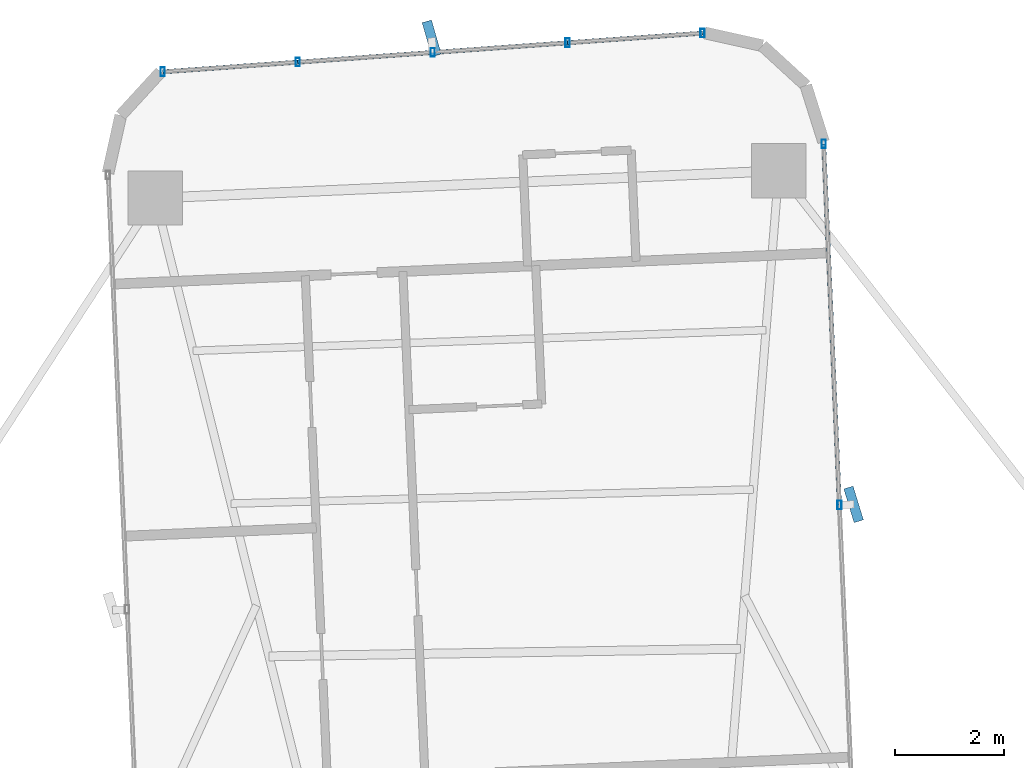
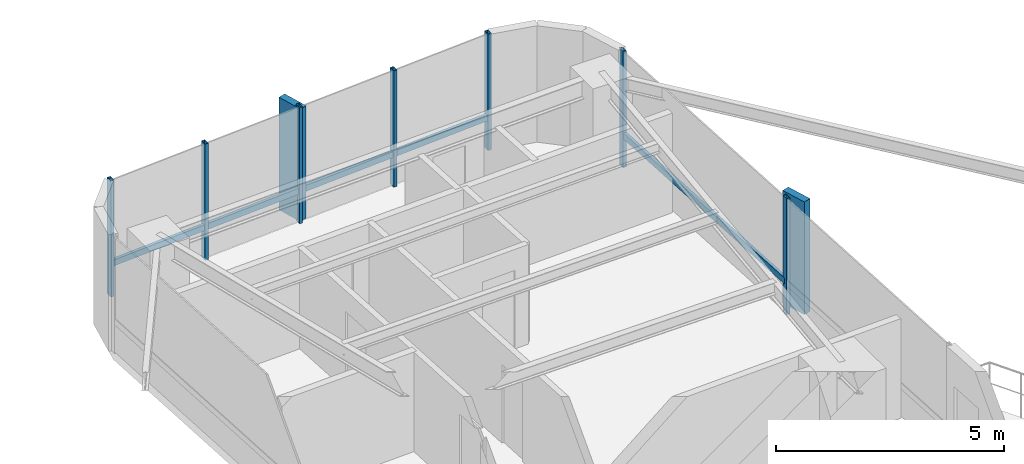
# One storey, part 19 of 26: 14 members, 2 elements without a shape of their own.
"""IFC4 building model written with IfcOpenShell, lengths in metres."""

from ifc_helpers import new_model, si_unit, direction, frame, origin, origin_2d, place, context, subcontext, project, spatial, rectangle, hollow_rectangle, extrude, source, transform, mapped, material, material_profile, profile_set, type_object, element, aggregate, save


model = new_model("IFC4")

# Units and contexts
model_context = context("Model", 3, precision=1e-05, world=origin(), true_north=direction((0.0, 1.0)))
body_context = subcontext(model_context, "Body", "Model", "MODEL_VIEW")
ifc_project = project(units=[si_unit("LENGTHUNIT", "METRE"), si_unit("AREAUNIT", "SQUARE_METRE"), si_unit("VOLUMEUNIT", "CUBIC_METRE"), si_unit("PLANEANGLEUNIT", "RADIAN"), si_unit("MASSUNIT", "GRAM", prefix="KILO")], contexts=[model_context])

# Site, building, storey
site_placement = place(None, origin())
site = spatial("IfcSite", under=ifc_project, at=site_placement, CompositionType="ELEMENT")
building_placement = place(site_placement, origin())
building = spatial("IfcBuilding", under=site, at=building_placement, Name="Sahyath Konkavel Grand Hotel", CompositionType="ELEMENT")
storey_placement = place(building_placement, frame((0.0, 0.0, 124.85009765625)))
storey = spatial("IfcBuildingStorey", under=building, at=storey_placement, Name="L34", CompositionType="ELEMENT", Elevation=124.85009765625)

# Curtain wall, members
ifc_material_1 = material(Name="Anodised Bronze Aluminium & Low-E Glazing", Category="aluminium")
curtain_wall_type = type_object("IfcCurtainWallType", Name="CW-ZONE2", PredefinedType="NOTDEFINED", material=ifc_material_1)
curtain_wall_1_placement = place(storey_placement, origin())
curtain_wall_1 = element("IfcCurtainWall", 1, at=curtain_wall_1_placement, inside=storey, type_object=curtain_wall_type, Name="L34 Unitised Curtain Wall F8", PredefinedType="NOTDEFINED")
ifc_material_2 = material(Name="Anodised Bronze Aluminium", Category="aluminium")
ifc_material_profile_1 = material_profile(ifc_material_2, hollow_rectangle(XDim=0.080078125, YDim=0.159912109375, WallThickness=0.006103515625, at=origin_2d()), Name="RHS 160x80x6")
ifc_profile_set_1 = profile_set([ifc_material_profile_1], Name="Anodised Bronze Aluminium")
member_type_1 = type_object("IfcMemberType", Name="CW-MUL-160", PredefinedType="MULLION", material=ifc_profile_set_1)
shared_shape_1 = source(origin(), body_context, "Body", "SweptSolid", [
    extrude(hollow_rectangle(XDim=0.080078125, YDim=0.159912109375, WallThickness=0.006103515625, at=origin_2d()), origin(), (0.0, 0.0, 1.0), 3.10986328125),
])
member_1_placement = place(storey_placement, frame((5.895751953125, 16.272705078125, 0.0), z_axis=(0.0, 0.0, 1.0), x_axis=(1.0, 0.0, 0.0)))
member_1 = element("IfcMember", 2, at=member_1_placement, type_object=member_type_1, Name="L34 Curtain Wall Mullion F8-1", PredefinedType="MULLION", context=body_context, shape_type="MappedRepresentation", body=[
    mapped(shared_shape_1, transform((0.0, 0.0, 0.0), scale=1.0)),
])
member_2_placement = place(storey_placement, frame((5.605224609375, 22.92626953125, 0.0), z_axis=(0.0, 0.0, 1.0), x_axis=(1.0, 0.0, 0.0)))
member_2 = element("IfcMember", 3, at=member_2_placement, type_object=member_type_1, Name="L34 Curtain Wall Mullion F8-2", PredefinedType="MULLION", context=body_context, shape_type="MappedRepresentation", body=[
    mapped(shared_shape_1, transform((0.0, 0.0, 0.0), scale=1.0)),
])

curtain_wall_2_placement = place(storey_placement, origin())
curtain_wall_2 = element("IfcCurtainWall", 4, at=curtain_wall_2_placement, inside=storey, type_object=curtain_wall_type, Name="L34 Unitised Curtain Wall F12", PredefinedType="NOTDEFINED")
member_3_placement = place(storey_placement, frame((3.3740234375, 24.9697265625, 0.0), z_axis=(0.0, 0.0, 1.0), x_axis=(1.0, 0.0, 0.0)))
member_3 = element("IfcMember", 5, at=member_3_placement, type_object=member_type_1, Name="L34 Curtain Wall Mullion F12-0", PredefinedType="MULLION", context=body_context, shape_type="MappedRepresentation", body=[
    mapped(shared_shape_1, transform((0.0, 0.0, 0.0), scale=1.0)),
])
member_4_placement = place(storey_placement, frame((0.886962890625, 24.79150390625, 0.0), z_axis=(0.0, 0.0, 1.0), x_axis=(1.0, 0.0, 0.0)))
member_4 = element("IfcMember", 6, at=member_4_placement, type_object=member_type_1, Name="L34 Curtain Wall Mullion F12-1", PredefinedType="MULLION", context=body_context, shape_type="MappedRepresentation", body=[
    mapped(shared_shape_1, transform((0.0, 0.0, 0.0), scale=1.0)),
])
member_5_placement = place(storey_placement, frame((-1.60009765625, 24.61279296875, 0.0), z_axis=(0.0, 0.0, 1.0), x_axis=(1.0, 0.0, 0.0)))
member_5 = element("IfcMember", 7, at=member_5_placement, type_object=member_type_1, Name="L34 Curtain Wall Mullion F12-2", PredefinedType="MULLION", context=body_context, shape_type="MappedRepresentation", body=[
    mapped(shared_shape_1, transform((0.0, 0.0, 0.0), scale=1.0)),
])
member_6_placement = place(storey_placement, frame((-4.087158203125, 24.4345703125, 0.0), z_axis=(0.0, 0.0, 1.0), x_axis=(1.0, 0.0, 0.0)))
member_6 = element("IfcMember", 8, at=member_6_placement, type_object=member_type_1, Name="L34 Curtain Wall Mullion F12-3", PredefinedType="MULLION", context=body_context, shape_type="MappedRepresentation", body=[
    mapped(shared_shape_1, transform((0.0, 0.0, 0.0), scale=1.0)),
])
member_7_placement = place(storey_placement, frame((-6.57421875, 24.256103515625, 0.0), z_axis=(0.0, 0.0, 1.0), x_axis=(1.0, 0.0, 0.0)))
member_7 = element("IfcMember", 9, at=member_7_placement, type_object=member_type_1, Name="L34 Curtain Wall Mullion F12-4", PredefinedType="MULLION", context=body_context, shape_type="MappedRepresentation", body=[
    mapped(shared_shape_1, transform((0.0, 0.0, 0.0), scale=1.0)),
])

# Member
ifc_material_3 = material(Name="Warm Buff Sandstone Cladding on Concrete C50/60", Category="masonry")
ifc_material_profile_2 = material_profile(ifc_material_3, rectangle(XDim=0.179931640625, YDim=0.64990234375, at=origin_2d()), Name="FIN 180x650")
ifc_profile_set_2 = profile_set([ifc_material_profile_2], Name="Warm Buff Sandstone Cladding on Concrete C50/60")
member_type_2 = type_object("IfcMemberType", Name="FIN-SANDSTONE-650", PredefinedType="MULLION", material=ifc_profile_set_2)
shared_shape_2 = source(origin(), body_context, "Body", "SweptSolid", [
    extrude(rectangle(XDim=0.179931640625, YDim=0.64990234375, at=origin_2d()), origin(), (0.0, 0.0, 1.0), 3.010009765625),
])
member_8_placement = place(storey_placement, frame((6.155517578125, 16.283935546875, 0.0498046875), z_axis=(0.0, 0.0, 1.0), x_axis=(0.956151539415, 0.292872384621, 0.0)))
member_8 = element("IfcMember", 10, at=member_8_placement, type_object=member_type_2, Name="L34 Sandstone Vertical Solar Fin FIN F8-1", PredefinedType="MULLION", context=body_context, shape_type="MappedRepresentation", body=[
    mapped(shared_shape_2, transform((0.0, 0.0, 0.0), scale=1.0)),
])

member_9_placement = place(storey_placement, frame((-1.61865234375, 24.872314453125, 0.0498046875), z_axis=(0.0, 0.0, 1.0), x_axis=(0.960488224179, 0.278320626641, 0.0)))
member_9 = element("IfcMember", 11, at=member_9_placement, type_object=member_type_2, Name="L34 Sandstone Vertical Solar Fin FIN F12-2", PredefinedType="MULLION", context=body_context, shape_type="MappedRepresentation", body=[
    mapped(shared_shape_2, transform((0.0, 0.0, 0.0), scale=1.0)),
])

ifc_material_profile_3 = material_profile(ifc_material_2, hollow_rectangle(XDim=0.080078125, YDim=0.159912109375, WallThickness=0.006103515625, at=origin_2d()), Name="RHS 160x80x6")
ifc_profile_set_3 = profile_set([ifc_material_profile_3], Name="Anodised Bronze Aluminium")
member_type_3 = type_object("IfcMemberType", Name="CW-TRN-160", PredefinedType="USERDEFINED", material=ifc_profile_set_3)
shared_shape_3 = source(origin(), body_context, "Body", "SweptSolid", [
    extrude(hollow_rectangle(XDim=0.080078125, YDim=0.159912109375, WallThickness=0.006103515625, at=origin_2d()), origin(), (0.0, 0.0, 1.0), 2.493408203125),
])
member_10_placement = place(storey_placement, frame((3.3740234375, 24.9697265625, 0.849853515625), z_axis=(-0.997442271688, -0.071476672066, 0.0), x_axis=(0.071476672066, -0.997442271688, 0.0)))
member_10 = element("IfcMember", 12, at=member_10_placement, type_object=member_type_3, Name="L34 Curtain Wall Transom F12-0-spandrel", ObjectType="TRANSOM", PredefinedType="USERDEFINED", context=body_context, shape_type="MappedRepresentation", body=[
    mapped(shared_shape_3, transform((0.0, 0.0, 0.0), scale=1.0)),
])

member_11_placement = place(storey_placement, frame((0.886962890625, 24.79150390625, 0.849853515625), z_axis=(-0.997428291631, -0.071671494009, 0.0), x_axis=(0.071671494009, -0.997428291631, 0.0)))
member_11 = element("IfcMember", 13, at=member_11_placement, type_object=member_type_3, Name="L34 Curtain Wall Transom F12-1-spandrel", ObjectType="TRANSOM", PredefinedType="USERDEFINED", context=body_context, shape_type="MappedRepresentation", body=[
    mapped(shared_shape_3, transform((0.0, 0.0, 0.0), scale=1.0)),
])

member_12_placement = place(storey_placement, frame((-1.60009765625, 24.61279296875, 0.849853515625), z_axis=(-0.997442271688, -0.071476672066, 0.0), x_axis=(0.071476672066, -0.997442271688, 0.0)))
member_12 = element("IfcMember", 14, at=member_12_placement, type_object=member_type_3, Name="L34 Curtain Wall Transom F12-2-spandrel", ObjectType="TRANSOM", PredefinedType="USERDEFINED", context=body_context, shape_type="MappedRepresentation", body=[
    mapped(shared_shape_3, transform((0.0, 0.0, 0.0), scale=1.0)),
])

member_13_placement = place(storey_placement, frame((-4.087158203125, 24.4345703125, 0.849853515625), z_axis=(-0.997435286367, -0.071574084062, 0.0), x_axis=(0.071574084062, -0.997435286367, 0.0)))
member_13 = element("IfcMember", 15, at=member_13_placement, type_object=member_type_3, Name="L34 Curtain Wall Transom F12-3-spandrel", ObjectType="TRANSOM", PredefinedType="USERDEFINED", context=body_context, shape_type="MappedRepresentation", body=[
    mapped(shared_shape_3, transform((0.0, 0.0, 0.0), scale=1.0)),
])

aggregate(curtain_wall_2, [member_3, member_4, member_5, member_9, member_6, member_7, member_10, member_11, member_12, member_13])

shared_shape_4 = source(origin(), body_context, "Body", "SweptSolid", [
    extrude(hollow_rectangle(XDim=0.080078125, YDim=0.159912109375, WallThickness=0.006103515625, at=origin_2d()), origin(), (0.0, 0.0, 1.0), 6.659912109375),
])
member_14_placement = place(storey_placement, frame((5.895751953125, 16.272705078125, 0.849853515625), z_axis=(-0.043623350741, 0.999048048529, 0.0), x_axis=(-0.999048048529, -0.043623350741, 0.0)))
member_14 = element("IfcMember", 16, at=member_14_placement, type_object=member_type_3, Name="L34 Curtain Wall Transom F8-1-spandrel", ObjectType="TRANSOM", PredefinedType="USERDEFINED", context=body_context, shape_type="MappedRepresentation", body=[
    mapped(shared_shape_4, transform((0.0, 0.0, 0.0), scale=1.0)),
])

aggregate(curtain_wall_1, [member_1, member_8, member_2, member_14])

save(model, "model.ifc")
